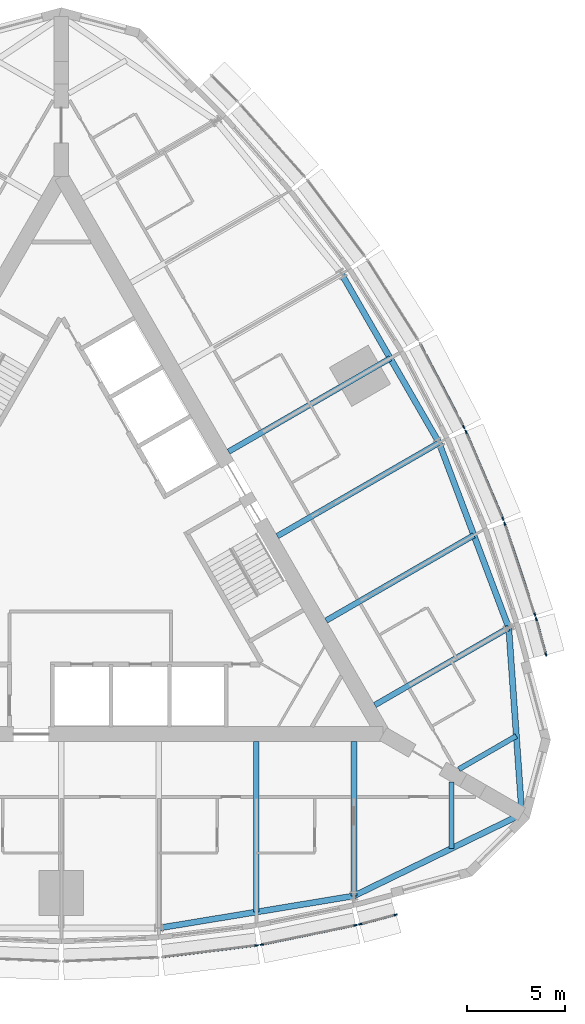
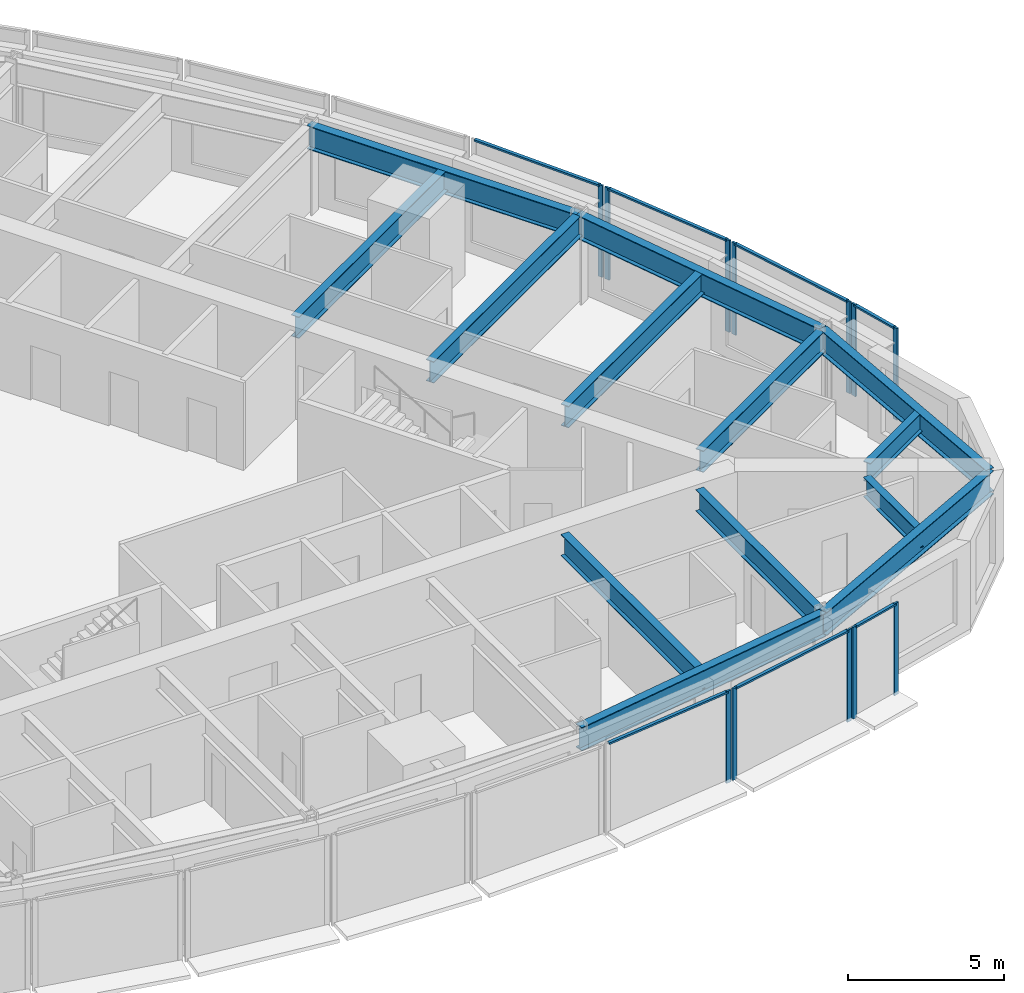
# One storey, part 4 of 15: 19 members, 13 beams, 7 elements without a shape of their own.
"""IFC4 building model written with IfcOpenShell, lengths in metres."""

from ifc_helpers import new_model, si_unit, direction, frame, origin, origin_2d, place, context, subcontext, project, spatial, rectangle, i_section, extrude, material, material_profile, profile_set, type_object, element, aggregate, save


model = new_model("IFC4")

# Units and contexts
model_context = context("Model", 3, precision=1e-05, world=origin(), true_north=direction((0.0, 1.0)))
body_context = subcontext(model_context, "Body", "Model", "MODEL_VIEW")
ifc_project = project(units=[si_unit("LENGTHUNIT", "METRE"), si_unit("AREAUNIT", "SQUARE_METRE"), si_unit("VOLUMEUNIT", "CUBIC_METRE"), si_unit("PLANEANGLEUNIT", "RADIAN"), si_unit("MASSUNIT", "GRAM", prefix="KILO")], contexts=[model_context])

# Site, building, storey
site_placement = place(None, origin())
site = spatial("IfcSite", under=ifc_project, at=site_placement, CompositionType="ELEMENT")
building_placement = place(site_placement, origin())
building = spatial("IfcBuilding", under=site, at=building_placement, Name="Trikona Tower", CompositionType="ELEMENT")
storey_placement = place(building_placement, frame((0.0, 0.0, 222.5)))
storey = spatial("IfcBuildingStorey", under=building, at=storey_placement, Name="L59", CompositionType="ELEMENT", Elevation=222.5)

# Curtain wall, member
ifc_material_1 = material(Name="Aluminium curtain wall system", Category="aluminium")
curtain_wall_type = type_object("IfcCurtainWallType", Name="Curtain wall DS3", PredefinedType="NOTDEFINED", material=ifc_material_1)
curtain_wall_1_placement = place(storey_placement, origin())
curtain_wall_1 = element("IfcCurtainWall", 1, at=curtain_wall_1_placement, inside=storey, type_object=curtain_wall_type, Name="Curtain wall DS3 L59", PredefinedType="NOTDEFINED")
ifc_material_2 = material(Name="Aluminium mullion, pale anodised", Category="aluminium")
ifc_material_profile_1 = material_profile(ifc_material_2, rectangle(XDim=0.070068359375, YDim=0.179931640625, at=origin_2d()), Name="MUL-DS3")
ifc_profile_set_1 = profile_set([ifc_material_profile_1], Name="Aluminium mullion, pale anodised")
member_type_1 = type_object("IfcMemberType", Name="Mullion DS3 70x180", PredefinedType="MULLION", material=ifc_profile_set_1)
member_1_placement = place(storey_placement, frame((10.01611328125, -20.359130859375, 0.0), z_axis=(0.0, 0.0, 1.0), x_axis=(-0.122610640458, 0.992454850785, 0.0)))
member_1 = element("IfcMember", 2, at=member_1_placement, type_object=member_type_1, Name="CW-DS3 mullion 2", PredefinedType="MULLION", context=body_context, shape_type="SweptSolid", body=[
    extrude(rectangle(XDim=0.070068359375, YDim=0.179931640625, at=origin_2d()), origin(), (0.0, 0.0, 1.0), 3.60009765625),
])

# Curtain wall, members
curtain_wall_2_placement = place(storey_placement, origin())
curtain_wall_2 = element("IfcCurtainWall", 3, at=curtain_wall_2_placement, inside=storey, type_object=curtain_wall_type, Name="Curtain wall DS3 L59", PredefinedType="NOTDEFINED")
member_2_placement = place(storey_placement, frame((10.274658203125, -20.316650390625, 0.0), z_axis=(0.0, 0.0, 1.0), x_axis=(-0.201652920672, 0.979457043256, 0.0)))
member_2 = element("IfcMember", 4, at=member_2_placement, type_object=member_type_1, Name="CW-DS3 mullion 1", PredefinedType="MULLION", context=body_context, shape_type="SweptSolid", body=[
    extrude(rectangle(XDim=0.070068359375, YDim=0.179931640625, at=origin_2d()), origin(), (0.0, 0.0, 1.0), 3.60009765625),
])
member_3_placement = place(storey_placement, frame((15.08837890625, -19.325439453125, 0.0), z_axis=(0.0, 0.0, 1.0), x_axis=(-0.201652920672, 0.979457043256, 0.0)))
member_3 = element("IfcMember", 5, at=member_3_placement, type_object=member_type_1, Name="CW-DS3 mullion 2", PredefinedType="MULLION", context=body_context, shape_type="SweptSolid", body=[
    extrude(rectangle(XDim=0.070068359375, YDim=0.179931640625, at=origin_2d()), origin(), (0.0, 0.0, 1.0), 3.60009765625),
])

curtain_wall_3_placement = place(storey_placement, origin())
curtain_wall_3 = element("IfcCurtainWall", 6, at=curtain_wall_3_placement, inside=storey, type_object=curtain_wall_type, Name="Curtain wall DS3 L59", PredefinedType="NOTDEFINED")
member_4_placement = place(storey_placement, frame((15.321044921875, -19.27099609375, 0.0), z_axis=(0.0, 0.0, 1.0), x_axis=(-0.25478635579, 0.966997369647, 0.0)))
member_4 = element("IfcMember", 7, at=member_4_placement, type_object=member_type_1, Name="CW-DS3 mullion 1", PredefinedType="MULLION", context=body_context, shape_type="SweptSolid", body=[
    extrude(rectangle(XDim=0.070068359375, YDim=0.179931640625, at=origin_2d()), origin(), (0.0, 0.0, 1.0), 3.60009765625),
])
member_5_placement = place(storey_placement, frame((17.137451171875, -18.79248046875, 0.0), z_axis=(0.0, 0.0, 1.0), x_axis=(-0.25478635579, 0.966997369647, 0.0)))
member_5 = element("IfcMember", 8, at=member_5_placement, type_object=member_type_1, Name="CW-DS3 mullion 2", PredefinedType="MULLION", context=body_context, shape_type="SweptSolid", body=[
    extrude(rectangle(XDim=0.070068359375, YDim=0.179931640625, at=origin_2d()), origin(), (0.0, 0.0, 1.0), 3.60009765625),
])

curtain_wall_4_placement = place(storey_placement, origin())
curtain_wall_4 = element("IfcCurtainWall", 9, at=curtain_wall_4_placement, inside=storey, type_object=curtain_wall_type, Name="Curtain wall DS3 L59", PredefinedType="NOTDEFINED")
member_6_placement = place(storey_placement, frame((24.843505859375, -5.4453125, 0.0), z_axis=(0.0, 0.0, 1.0), x_axis=(-0.964838403494, -0.262843784676, 0.0)))
member_6 = element("IfcMember", 10, at=member_6_placement, type_object=member_type_1, Name="CW-DS3 mullion 1", PredefinedType="MULLION", context=body_context, shape_type="SweptSolid", body=[
    extrude(rectangle(XDim=0.070068359375, YDim=0.179931640625, at=origin_2d()), origin(), (0.0, 0.0, 1.0), 3.60009765625),
])
member_7_placement = place(storey_placement, frame((24.349609375, -3.633056640625, 0.0), z_axis=(0.0, 0.0, 1.0), x_axis=(-0.964838403494, -0.262843784676, 0.0)))
member_7 = element("IfcMember", 11, at=member_7_placement, type_object=member_type_1, Name="CW-DS3 mullion 2", PredefinedType="MULLION", context=body_context, shape_type="SweptSolid", body=[
    extrude(rectangle(XDim=0.070068359375, YDim=0.179931640625, at=origin_2d()), origin(), (0.0, 0.0, 1.0), 3.60009765625),
])

curtain_wall_5_placement = place(storey_placement, origin())
curtain_wall_5 = element("IfcCurtainWall", 12, at=curtain_wall_5_placement, inside=storey, type_object=curtain_wall_type, Name="Curtain wall DS3 L59", PredefinedType="NOTDEFINED")
member_8_placement = place(storey_placement, frame((24.280517578125, -3.404296875, 0.0), z_axis=(0.0, 0.0, 1.0), x_axis=(-0.949065766708, -0.315078038687, 0.0)))
member_8 = element("IfcMember", 13, at=member_8_placement, type_object=member_type_1, Name="CW-DS3 mullion 1", PredefinedType="MULLION", context=body_context, shape_type="SweptSolid", body=[
    extrude(rectangle(XDim=0.070068359375, YDim=0.179931640625, at=origin_2d()), origin(), (0.0, 0.0, 1.0), 3.60009765625),
])
member_9_placement = place(storey_placement, frame((22.73193359375, 1.26025390625, 0.0), z_axis=(0.0, 0.0, 1.0), x_axis=(-0.949065766708, -0.315078038687, 0.0)))
member_9 = element("IfcMember", 14, at=member_9_placement, type_object=member_type_1, Name="CW-DS3 mullion 2", PredefinedType="MULLION", context=body_context, shape_type="SweptSolid", body=[
    extrude(rectangle(XDim=0.070068359375, YDim=0.179931640625, at=origin_2d()), origin(), (0.0, 0.0, 1.0), 3.60009765625),
])

curtain_wall_6_placement = place(storey_placement, origin())
curtain_wall_6 = element("IfcCurtainWall", 15, at=curtain_wall_6_placement, inside=storey, type_object=curtain_wall_type, Name="Curtain wall DS3 L59", PredefinedType="NOTDEFINED")
member_10_placement = place(storey_placement, frame((22.6396484375, 1.50537109375, 0.0), z_axis=(0.0, 0.0, 1.0), x_axis=(-0.920792322808, -0.390053199266, 0.0)))
member_10 = element("IfcMember", 16, at=member_10_placement, type_object=member_type_1, Name="CW-DS3 mullion 1", PredefinedType="MULLION", context=body_context, shape_type="SweptSolid", body=[
    extrude(rectangle(XDim=0.070068359375, YDim=0.179931640625, at=origin_2d()), origin(), (0.0, 0.0, 1.0), 3.60009765625),
])
member_11_placement = place(storey_placement, frame((20.74853515625, 5.969482421875, 0.0), z_axis=(0.0, 0.0, 1.0), x_axis=(-0.920792322808, -0.390053199266, 0.0)))
member_11 = element("IfcMember", 17, at=member_11_placement, type_object=member_type_1, Name="CW-DS3 mullion 2", PredefinedType="MULLION", context=body_context, shape_type="SweptSolid", body=[
    extrude(rectangle(XDim=0.070068359375, YDim=0.179931640625, at=origin_2d()), origin(), (0.0, 0.0, 1.0), 3.60009765625),
])

# Curtain wall, member
curtain_wall_7_placement = place(storey_placement, origin())
curtain_wall_7 = element("IfcCurtainWall", 18, at=curtain_wall_7_placement, inside=storey, type_object=curtain_wall_type, Name="Curtain wall DS3 L59", PredefinedType="NOTDEFINED")
member_12_placement = place(storey_placement, frame((20.635986328125, 6.20751953125, 0.0), z_axis=(0.0, 0.0, 1.0), x_axis=(-0.885862390527, -0.463948084434, 0.0)))
member_12 = element("IfcMember", 19, at=member_12_placement, type_object=member_type_1, Name="CW-DS3 mullion 1", PredefinedType="MULLION", context=body_context, shape_type="SweptSolid", body=[
    extrude(rectangle(XDim=0.070068359375, YDim=0.179931640625, at=origin_2d()), origin(), (0.0, 0.0, 1.0), 3.60009765625),
])

# Beams
ifc_material_3 = material(Name="Steel ASTM A992 Grade 50", Category="steel")
ifc_material_profile_2 = material_profile(ifc_material_3, i_section(OverallWidth=0.2666015625, OverallDepth=0.76953125, WebThickness=0.015625, FlangeThickness=0.025390625, at=origin_2d()), Name="W30X132")
ifc_profile_set_2 = profile_set([ifc_material_profile_2], Name="Steel ASTM A992 Grade 50")
beam_type_1 = type_object("IfcBeamType", Name="Steel beam W30x132 (wedge)", PredefinedType="BEAM", material=ifc_profile_set_2)
beam_1_placement = place(storey_placement, frame((20.0, -11.97998046875, 3.05029296875), z_axis=(0.0, -1.0, 0.0), x_axis=(1.0, 0.0, 0.0)))
element("IfcBeam", 20, at=beam_1_placement, inside=storey, type_object=beam_type_1, Name="Floor beam L60 F1 u20", PredefinedType="BEAM", context=body_context, shape_type="SweptSolid", body=[
    extrude(i_section(OverallWidth=0.2666015625, OverallDepth=0.76953125, WebThickness=0.015625, FlangeThickness=0.025390625, at=origin_2d()), origin(), (0.0, 0.0, 1.0), 3.40966796875),
])
beam_2_placement = place(storey_placement, frame((20.375, -11.33056640625, 3.05029296875), z_axis=(0.865995995653, 0.500050932918, 0.0), x_axis=(-0.500050932918, 0.865995995653, 0.0)))
element("IfcBeam", 21, at=beam_2_placement, inside=storey, type_object=beam_type_1, Name="Floor beam L60 F2 u-20", PredefinedType="BEAM", context=body_context, shape_type="SweptSolid", body=[
    extrude(i_section(OverallWidth=0.2666015625, OverallDepth=0.76953125, WebThickness=0.015625, FlangeThickness=0.025390625, at=origin_2d()), origin(), (0.0, 0.0, 1.0), 3.409912109375),
])
ifc_material_4 = material(Name="Steel ASTM A992 Grade 50", Category="steel")
ifc_material_profile_3 = material_profile(ifc_material_4, i_section(OverallWidth=0.2919921875, OverallDepth=0.845703125, WebThickness=0.015380859375, FlangeThickness=0.0244140625, at=origin_2d()), Name="W33X141")
ifc_profile_set_3 = profile_set([ifc_material_profile_3], Name="Steel ASTM A992 Grade 50")
beam_type_2 = type_object("IfcBeamType", Name="Steel beam W33x141 (radial typ)", PredefinedType="BEAM", material=ifc_profile_set_3)
beam_3_placement = place(storey_placement, frame((10.0, -9.9013671875, 3.01220703125), z_axis=(0.0, -1.0, 0.0), x_axis=(1.0, 0.0, 0.0)))
element("IfcBeam", 22, at=beam_3_placement, inside=storey, type_object=beam_type_2, Name="Floor beam L60 F1 u10", PredefinedType="BEAM", context=body_context, shape_type="SweptSolid", body=[
    extrude(i_section(OverallWidth=0.2919921875, OverallDepth=0.845703125, WebThickness=0.015380859375, FlangeThickness=0.0244140625, at=origin_2d()), origin(), (0.0, 0.0, 1.0), 8.7470703125),
])
for number, where, z_axis, x_axis, name in (
    (23, (15.0, -9.9013671875, 3.01220703125), (0.0, -1.0, 0.0), (1.0, 0.0, 0.0), "Floor beam L60 F1 u15"),
    (24, (16.07470703125, -8.039794921875, 3.01220703125), (0.866019853763, 0.500009612796, 0.0), (-0.500009612796, 0.866019853763, 0.0), "Floor beam L60 F2 u-15"),
):
    element("IfcBeam", number, at=place(storey_placement, frame(where, z_axis=z_axis, x_axis=x_axis)), inside=storey, type_object=beam_type_2, Name=name, PredefinedType="BEAM", context=body_context, shape_type="SweptSolid", body=[
        extrude(i_section(OverallWidth=0.2919921875, OverallDepth=0.845703125, WebThickness=0.015380859375, FlangeThickness=0.0244140625, at=origin_2d()), origin(), (0.0, 0.0, 1.0), 7.923583984375),
    ])
beam_4_placement = place(storey_placement, frame((13.57470703125, -3.709716796875, 3.01220703125), z_axis=(0.866013609749, 0.500020427312, 0.0), x_axis=(-0.500020427312, 0.866013609749, 0.0)))
element("IfcBeam", 25, at=beam_4_placement, inside=storey, type_object=beam_type_2, Name="Floor beam L60 F2 u-10", PredefinedType="BEAM", context=body_context, shape_type="SweptSolid", body=[
    extrude(i_section(OverallWidth=0.2919921875, OverallDepth=0.845703125, WebThickness=0.015380859375, FlangeThickness=0.0244140625, at=origin_2d()), origin(), (0.0, 0.0, 1.0), 8.747314453125),
])
for number, where, z_axis, x_axis, name in (
    (26, (11.07470703125, 0.62060546875, 3.01220703125), (0.866025863714, 0.499999203377, 0.0), (-0.499999203377, 0.866025863714, 0.0), "Floor beam L60 F2 u-5"),
    (27, (8.57470703125, 4.95068359375, 3.01220703125), (0.866025863714, 0.499999203377, 0.0), (-0.499999203377, 0.866025863714, 0.0), "Floor beam L60 F2 u0"),
):
    element("IfcBeam", number, at=place(storey_placement, frame(where, z_axis=z_axis, x_axis=x_axis)), inside=storey, type_object=beam_type_2, Name=name, PredefinedType="BEAM", context=body_context, shape_type="SweptSolid", body=[
        extrude(i_section(OverallWidth=0.2919921875, OverallDepth=0.845703125, WebThickness=0.015380859375, FlangeThickness=0.0244140625, at=origin_2d()), origin(), (0.0, 0.0, 1.0), 9.57080078125),
    ])
ifc_material_5 = material(Name="Steel ASTM A992 Grade 50", Category="steel")
ifc_material_profile_4 = material_profile(ifc_material_5, i_section(OverallWidth=0.307373046875, OverallDepth=0.922119140625, WebThickness=0.018310546875, FlangeThickness=0.030029296875, at=origin_2d()), Name="W36X182")
ifc_profile_set_4 = profile_set([ifc_material_profile_4], Name="Steel ASTM A992 Grade 50")
beam_type_3 = type_object("IfcBeamType", Name="Steel beam W36x182 (spandrel mid)", PredefinedType="SPANDREL", material=ifc_profile_set_4)
beam_5_placement = place(storey_placement, frame((5.0, -19.471923828125, 2.97412109375), z_axis=(0.986707228918, 0.162507982575, 0.0), x_axis=(-0.162507982575, 0.986707228918, 0.0)))
element("IfcBeam", 28, at=beam_5_placement, inside=storey, type_object=beam_type_3, Name="Spandrel beam L60 F1-4", PredefinedType="SPANDREL", context=body_context, shape_type="SweptSolid", body=[
    extrude(i_section(OverallWidth=0.307373046875, OverallDepth=0.922119140625, WebThickness=0.018310546875, FlangeThickness=0.030029296875, at=origin_2d()), origin(), (0.0, 0.0, 1.0), 10.134765625),
])
beam_6_placement = place(storey_placement, frame((15.0, -17.824951171875, 2.97412109375), z_axis=(0.899038503257, 0.437869580652, 0.0), x_axis=(-0.437869580652, 0.899038503257, 0.0)))
element("IfcBeam", 29, at=beam_6_placement, inside=storey, type_object=beam_type_3, Name="Spandrel beam L60 F1-5", PredefinedType="SPANDREL", context=body_context, shape_type="SweptSolid", body=[
    extrude(i_section(OverallWidth=0.307373046875, OverallDepth=0.922119140625, WebThickness=0.018310546875, FlangeThickness=0.030029296875, at=origin_2d()), origin(), (0.0, 0.0, 1.0), 9.577392578125),
])
beam_7_placement = place(storey_placement, frame((23.6103515625, -13.63134765625, 2.97412109375), z_axis=(-0.07033215835, 0.997523627541, 0.0), x_axis=(-0.997523627541, -0.07033215835, 0.0)))
element("IfcBeam", 30, at=beam_7_placement, inside=storey, type_object=beam_type_3, Name="Spandrel beam L60 F2-1", PredefinedType="SPANDREL", context=body_context, shape_type="SweptSolid", body=[
    extrude(i_section(OverallWidth=0.307373046875, OverallDepth=0.922119140625, WebThickness=0.018310546875, FlangeThickness=0.030029296875, at=origin_2d()), origin(), (0.0, 0.0, 1.0), 9.5771484375),
])
beam_8_placement = place(storey_placement, frame((22.936767578125, -4.077880859375, 2.97412109375), z_axis=(-0.352596088442, 0.935775613283, 0.0), x_axis=(-0.935775613283, -0.352596088442, 0.0)))
element("IfcBeam", 31, at=beam_8_placement, inside=storey, type_object=beam_type_3, Name="Spandrel beam L60 F2-2", PredefinedType="SPANDREL", context=body_context, shape_type="SweptSolid", body=[
    extrude(i_section(OverallWidth=0.307373046875, OverallDepth=0.922119140625, WebThickness=0.018310546875, FlangeThickness=0.030029296875, at=origin_2d()), origin(), (0.0, 0.0, 1.0), 10.134765625),
])
beam_9_placement = place(storey_placement, frame((19.36328125, 5.406005859375, 2.97412109375), z_axis=(-0.500004234368, 0.866022959057, 0.0), x_axis=(-0.866022959057, -0.500004234368, 0.0)))
element("IfcBeam", 32, at=beam_9_placement, inside=storey, type_object=beam_type_3, Name="Spandrel beam L60 F2-3", PredefinedType="SPANDREL", context=body_context, shape_type="SweptSolid", body=[
    extrude(i_section(OverallWidth=0.307373046875, OverallDepth=0.922119140625, WebThickness=0.018310546875, FlangeThickness=0.030029296875, at=origin_2d()), origin(), (0.0, 0.0, 1.0), 10.0),
])

# Member
ifc_material_6 = material(Name="Aluminium transom, pale anodised", Category="aluminium")
ifc_material_profile_5 = material_profile(ifc_material_6, rectangle(XDim=0.1201171875, YDim=0.070068359375, at=origin_2d()), Name="TRN-DS3")
ifc_profile_set_5 = profile_set([ifc_material_profile_5], Name="Aluminium transom, pale anodised")
member_type_2 = type_object("IfcMemberType", Name="Transom DS3 70x120", PredefinedType="USERDEFINED", material=ifc_profile_set_5)
member_13_placement = place(storey_placement, frame((5.2392578125, -20.94921875, 3.56494140625), z_axis=(0.992459172161, 0.122575656611, 0.0), x_axis=(-0.122575656611, 0.992459172161, 0.0)))
member_13 = element("IfcMember", 33, at=member_13_placement, type_object=member_type_2, Name="CW-DS3 transom 1.1", ObjectType="TRANSOM", PredefinedType="USERDEFINED", context=body_context, shape_type="SweptSolid", body=[
    extrude(rectangle(XDim=0.1201171875, YDim=0.070068359375, at=origin_2d()), origin(), (0.0, 0.0, 1.0), 4.7783203125),
])

aggregate(curtain_wall_1, [member_1, member_13])

member_14_placement = place(storey_placement, frame((10.308837890625, -20.3095703125, 3.56494140625), z_axis=(0.979454408611, 0.201665717099, 0.0), x_axis=(-0.201665717099, 0.979454408611, 0.0)))
member_14 = element("IfcMember", 34, at=member_14_placement, type_object=member_type_2, Name="CW-DS3 transom 1.1", ObjectType="TRANSOM", PredefinedType="USERDEFINED", context=body_context, shape_type="SweptSolid", body=[
    extrude(rectangle(XDim=0.1201171875, YDim=0.070068359375, at=origin_2d()), origin(), (0.0, 0.0, 1.0), 4.844970703125),
])

aggregate(curtain_wall_2, [member_2, member_3, member_14])

member_15_placement = place(storey_placement, frame((15.35498046875, -19.261962890625, 3.56494140625), z_axis=(0.966999290683, 0.254779064719, 0.0), x_axis=(-0.254779064719, 0.966999290683, 0.0)))
member_15 = element("IfcMember", 35, at=member_15_placement, type_object=member_type_2, Name="CW-DS3 transom 1.1", ObjectType="TRANSOM", PredefinedType="USERDEFINED", context=body_context, shape_type="SweptSolid", body=[
    extrude(rectangle(XDim=0.1201171875, YDim=0.070068359375, at=origin_2d()), origin(), (0.0, 0.0, 1.0), 1.80810546875),
])

aggregate(curtain_wall_3, [member_4, member_5, member_15])

member_16_placement = place(storey_placement, frame((24.834228515625, -5.41162109375, 3.56494140625), z_axis=(-0.262843243155, 0.964838551017, 0.0), x_axis=(-0.964838551017, -0.262843243155, 0.0)))
member_16 = element("IfcMember", 36, at=member_16_placement, type_object=member_type_2, Name="CW-DS3 transom 1.1", ObjectType="TRANSOM", PredefinedType="USERDEFINED", context=body_context, shape_type="SweptSolid", body=[
    extrude(rectangle(XDim=0.1201171875, YDim=0.070068359375, at=origin_2d()), origin(), (0.0, 0.0, 1.0), 1.808349609375),
])

aggregate(curtain_wall_4, [member_6, member_7, member_16])

member_17_placement = place(storey_placement, frame((24.26953125, -3.370849609375, 3.56494140625), z_axis=(-0.315063426034, 0.949070617802, 0.0), x_axis=(-0.949070617802, -0.315063426034, 0.0)))
member_17 = element("IfcMember", 37, at=member_17_placement, type_object=member_type_2, Name="CW-DS3 transom 1.1", ObjectType="TRANSOM", PredefinedType="USERDEFINED", context=body_context, shape_type="SweptSolid", body=[
    extrude(rectangle(XDim=0.1201171875, YDim=0.070068359375, at=origin_2d()), origin(), (0.0, 0.0, 1.0), 4.8447265625),
])

aggregate(curtain_wall_5, [member_8, member_9, member_17])

member_18_placement = place(storey_placement, frame((22.6259765625, 1.53759765625, 3.56494140625), z_axis=(-0.390061662668, 0.920788737614, 0.0), x_axis=(-0.920788737614, -0.390061662668, 0.0)))
member_18 = element("IfcMember", 38, at=member_18_placement, type_object=member_type_2, Name="CW-DS3 transom 1.1", ObjectType="TRANSOM", PredefinedType="USERDEFINED", context=body_context, shape_type="SweptSolid", body=[
    extrude(rectangle(XDim=0.1201171875, YDim=0.070068359375, at=origin_2d()), origin(), (0.0, 0.0, 1.0), 4.778076171875),
])

aggregate(curtain_wall_6, [member_10, member_11, member_18])

member_19_placement = place(storey_placement, frame((20.61962890625, 6.238525390625, 3.56494140625), z_axis=(-0.463910848027, 0.885881891158, 0.0), x_axis=(-0.885881891158, -0.463910848027, 0.0)))
member_19 = element("IfcMember", 39, at=member_19_placement, type_object=member_type_2, Name="CW-DS3 transom 1.1", ObjectType="TRANSOM", PredefinedType="USERDEFINED", context=body_context, shape_type="SweptSolid", body=[
    extrude(rectangle(XDim=0.1201171875, YDim=0.070068359375, at=origin_2d()), origin(), (0.0, 0.0, 1.0), 4.744384765625),
])

aggregate(curtain_wall_7, [member_12, member_19])

save(model, "model.ifc")
